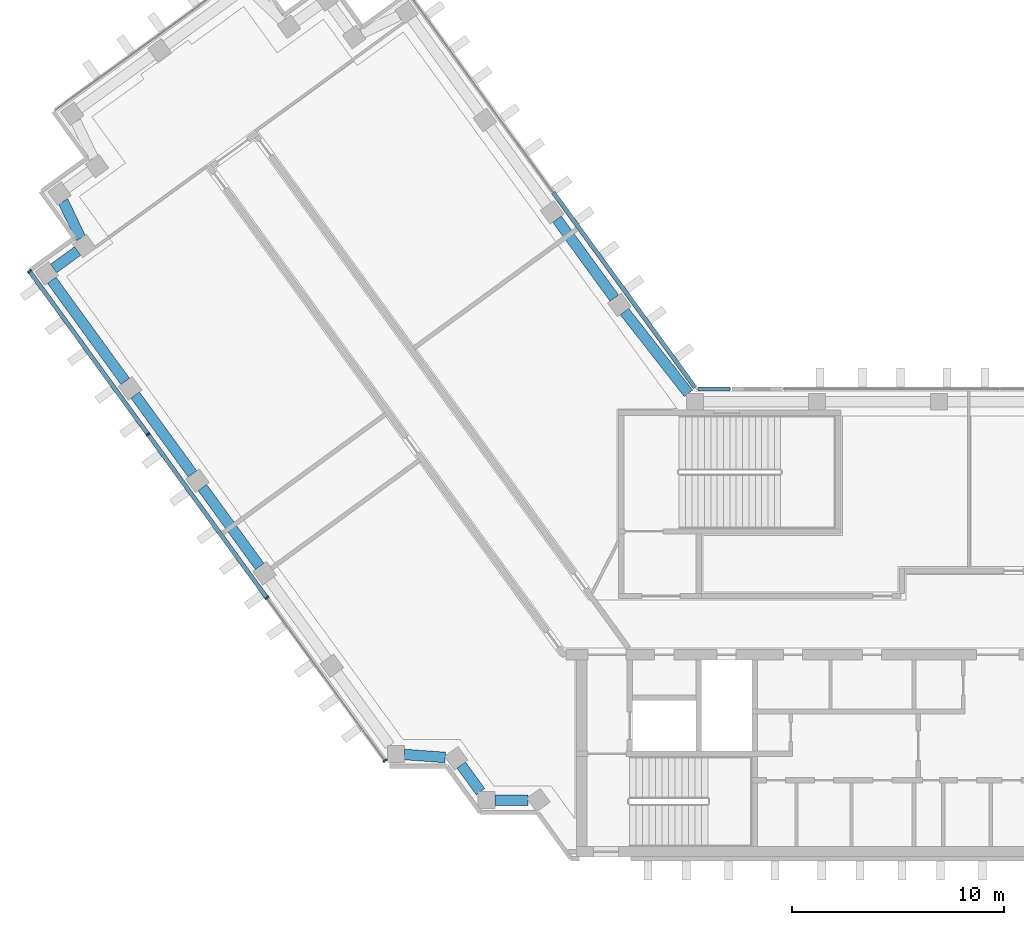
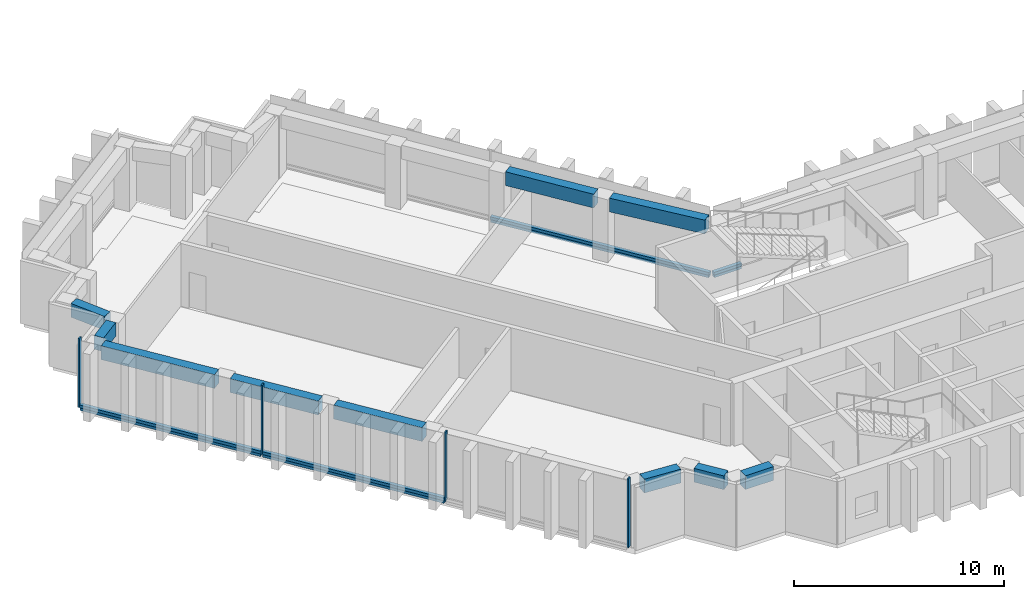
"""IFC4 building model written with IfcOpenShell, lengths in metres."""

from ifc_helpers import new_model, si_unit, direction, frame, origin, origin_2d, place, context, subcontext, project, spatial, rectangle, extrude, material, material_profile, profile_set, type_object, element, aggregate, save


model = new_model("IFC4")

# Units and contexts
model_context = context("Model", 3, precision=1e-05, world=origin(), true_north=direction((0.0, 1.0)))
body_context = subcontext(model_context, "Body", "Model", "MODEL_VIEW")
ifc_project = project(units=[si_unit("LENGTHUNIT", "METRE"), si_unit("AREAUNIT", "SQUARE_METRE"), si_unit("VOLUMEUNIT", "CUBIC_METRE"), si_unit("PLANEANGLEUNIT", "RADIAN"), si_unit("MASSUNIT", "GRAM", prefix="KILO")], contexts=[model_context])

# Site, building, storey
site_placement = place(None, origin())
site = spatial("IfcSite", under=ifc_project, at=site_placement, CompositionType="ELEMENT")
building_placement = place(site_placement, origin())
building = spatial("IfcBuilding", under=site, at=building_placement, Name="Quipu Civic Tower", CompositionType="ELEMENT")
storey_1_placement = place(building_placement, frame((0.0, 0.0, 144.0)))
storey_1 = spatial("IfcBuildingStorey", under=building, at=storey_1_placement, Name="L33", CompositionType="ELEMENT", Elevation=144.0)

# Curtain wall, members
ifc_material_1 = material(Name="Insulated glass unit", Category="glass")
curtain_wall_type_1 = type_object("IfcCurtainWallType", Name="Office curtain wall CW1", PredefinedType="NOTDEFINED", material=ifc_material_1)
curtain_wall_1_placement = place(storey_1_placement, origin())
curtain_wall_1 = element("IfcCurtainWall", 1, at=curtain_wall_1_placement, inside=storey_1, type_object=curtain_wall_type_1, Name="Office curtain wall CW1 L33 run 4", PredefinedType="NOTDEFINED")
ifc_material_2 = material(Name="Anodised aluminium", Category="aluminium")
ifc_material_profile_1 = material_profile(ifc_material_2, rectangle(XDim=0.199951171875, YDim=0.080078125, at=origin_2d()), Name="RECT 200x80")
ifc_profile_set_1 = profile_set([ifc_material_profile_1], Name="Anodised aluminium")
member_type_1 = type_object("IfcMemberType", Name="Mullion CW1", PredefinedType="MULLION", material=ifc_profile_set_1)
member_1_placement = place(storey_1_placement, frame((-45.825927734375, 16.661865234375, 0.080078125), z_axis=(0.0, 0.0, 1.0), x_axis=(0.80901667469, 0.5877856923, 0.0)))
member_1 = element("IfcMember", 2, at=member_1_placement, type_object=member_type_1, Name="CW1 mullion 1", PredefinedType="MULLION", context=body_context, shape_type="SweptSolid", body=[
    extrude(rectangle(XDim=0.199951171875, YDim=0.080078125, at=origin_2d()), origin(), (0.0, 0.0, 1.0), 4.0),
])
member_2_placement = place(storey_1_placement, frame((-40.23486328125, 8.966552734375, 0.080078125), z_axis=(0.0, 0.0, 1.0), x_axis=(0.80901667469, 0.5877856923, 0.0)))
member_2 = element("IfcMember", 3, at=member_2_placement, type_object=member_type_1, Name="CW1 mullion 2", PredefinedType="MULLION", context=body_context, shape_type="SweptSolid", body=[
    extrude(rectangle(XDim=0.199951171875, YDim=0.080078125, at=origin_2d()), origin(), (0.0, 0.0, 1.0), 4.0),
])
member_3_placement = place(storey_1_placement, frame((-34.620361328125, 1.23876953125, 0.080078125), z_axis=(0.0, 0.0, 1.0), x_axis=(0.80901667469, 0.5877856923, 0.0)))
member_3 = element("IfcMember", 4, at=member_3_placement, type_object=member_type_1, Name="CW1 mullion 3", PredefinedType="MULLION", context=body_context, shape_type="SweptSolid", body=[
    extrude(rectangle(XDim=0.199951171875, YDim=0.080078125, at=origin_2d()), origin(), (0.0, 0.0, 1.0), 4.0),
])
member_4_placement = place(storey_1_placement, frame((-29.029296875, -6.45654296875, 0.080078125), z_axis=(0.0, 0.0, 1.0), x_axis=(0.80901667469, 0.5877856923, 0.0)))
member_4 = element("IfcMember", 5, at=member_4_placement, type_object=member_type_1, Name="CW1 mullion 4", PredefinedType="MULLION", context=body_context, shape_type="SweptSolid", body=[
    extrude(rectangle(XDim=0.199951171875, YDim=0.080078125, at=origin_2d()), origin(), (0.0, 0.0, 1.0), 4.0),
])

# Beams
ifc_material_3 = material(Name="Concrete C50/60", Category="concrete")
ifc_material_profile_2 = material_profile(ifc_material_3, rectangle(XDim=0.5, YDim=0.800048828125, at=origin_2d()), Name="RC500x800")
ifc_profile_set_2 = profile_set([ifc_material_profile_2], Name="Concrete C50/60")
beam_type = type_object("IfcBeamType", Name="Spandrel beam RC 500x800 C50/60", PredefinedType="SPANDREL", material=ifc_profile_set_2)
beam_1_placement = place(storey_1_placement, frame((-18.208740234375, 15.398681640625, 3.25), z_axis=(-0.58776136044, 0.809034352283, 0.0), x_axis=(-0.809034352283, -0.58776136044, 0.0)))
element("IfcBeam", 6, at=beam_1_placement, inside=storey_1, type_object=beam_type, Name="Spandrel beam L33 W-IN-01 to W-IN-02", PredefinedType="SPANDREL", context=body_context, shape_type="SweptSolid", body=[
    extrude(rectangle(XDim=0.5, YDim=0.800048828125, at=origin_2d()), origin(), (0.0, 0.0, 1.0), 4.599853515625),
])
beam_2_placement = place(storey_1_placement, frame((-44.23974609375, 19.9677734375, 3.25), z_axis=(0.430785642718, -0.902454281406, 0.0), x_axis=(0.902454281406, 0.430785642718, 0.0)))
element("IfcBeam", 7, at=beam_2_placement, inside=storey_1, type_object=beam_type, Name="Spandrel beam L33 T-Wo.2-W34 to T-Wo.3-W34", PredefinedType="SPANDREL", context=body_context, shape_type="SweptSolid", body=[
    extrude(rectangle(XDim=0.5, YDim=0.800048828125, at=origin_2d()), origin(), (0.0, 0.0, 1.0), 1.934814453125),
])
beam_3_placement = place(storey_1_placement, frame((-43.554443359375, 17.619140625, 3.25), z_axis=(-0.808600329101, -0.588358315805, 0.0), x_axis=(0.588358315805, -0.808600329101, 0.0)))
element("IfcBeam", 8, at=beam_3_placement, inside=storey_1, type_object=beam_type, Name="Spandrel beam L33 T-Wo.3-W34 to T-Wo.4-W34", PredefinedType="SPANDREL", context=body_context, shape_type="SweptSolid", body=[
    extrude(rectangle(XDim=0.5, YDim=0.800048828125, at=origin_2d()), origin(), (0.0, 0.0, 1.0), 1.400146484375),
])
beam_4_placement = place(storey_1_placement, frame((-44.77490234375, 16.236328125, 3.25), z_axis=(0.58780026889, -0.809006083965, 0.0), x_axis=(0.809006083965, 0.58780026889, 0.0)))
element("IfcBeam", 9, at=beam_4_placement, inside=storey_1, type_object=beam_type, Name="Spandrel beam L33 T-Wo.4-W34 to W-OUT-04", PredefinedType="SPANDREL", context=body_context, shape_type="SweptSolid", body=[
    extrude(rectangle(XDim=0.5, YDim=0.800048828125, at=origin_2d()), origin(), (0.0, 0.0, 1.0), 5.902587890625),
])
beam_5_placement = place(storey_1_placement, frame((-40.835205078125, 10.81396484375, 3.25), z_axis=(0.587770861189, -0.809027449928, 0.0), x_axis=(0.809027449928, 0.587770861189, 0.0)))
element("IfcBeam", 10, at=beam_5_placement, inside=storey_1, type_object=beam_type, Name="Spandrel beam L33 W-OUT-04 to W-OUT-03", PredefinedType="SPANDREL", context=body_context, shape_type="SweptSolid", body=[
    extrude(rectangle(XDim=0.5, YDim=0.800048828125, at=origin_2d()), origin(), (0.0, 0.0, 1.0), 4.60009765625),
])
beam_6_placement = place(storey_1_placement, frame((-37.6611328125, 6.445068359375, 3.25), z_axis=(0.58776136044, -0.809034352283, 0.0), x_axis=(0.809034352283, 0.58776136044, 0.0)))
element("IfcBeam", 11, at=beam_6_placement, inside=storey_1, type_object=beam_type, Name="Spandrel beam L33 W-OUT-03 to W-OUT-02", PredefinedType="SPANDREL", context=body_context, shape_type="SweptSolid", body=[
    extrude(rectangle(XDim=0.5, YDim=0.800048828125, at=origin_2d()), origin(), (0.0, 0.0, 1.0), 4.599853515625),
])
beam_7_placement = place(storey_1_placement, frame((-28.125, -6.158935546875, 3.25), z_axis=(0.997370796499, -0.072467194581, 0.0), x_axis=(0.072467194581, 0.997370796499, 0.0)))
element("IfcBeam", 12, at=beam_7_placement, inside=storey_1, type_object=beam_type, Name="Spandrel beam L33 J-Wo.0 to J-Wo.1", PredefinedType="SPANDREL", context=body_context, shape_type="SweptSolid", body=[
    extrude(rectangle(XDim=0.5, YDim=0.800048828125, at=origin_2d()), origin(), (0.0, 0.0, 1.0), 1.933837890625),
])
beam_8_placement = place(storey_1_placement, frame((-25.43896484375, -6.660400390625, 3.25), z_axis=(0.588330737135, -0.808620395329, 0.0), x_axis=(0.808620395329, 0.588330737135, 0.0)))
element("IfcBeam", 13, at=beam_8_placement, inside=storey_1, type_object=beam_type, Name="Spandrel beam L33 J-Wo.1 to J-Wo.2", PredefinedType="SPANDREL", context=body_context, shape_type="SweptSolid", body=[
    extrude(rectangle(XDim=0.5, YDim=0.800048828125, at=origin_2d()), origin(), (0.0, 0.0, 1.0), 1.551513671875),
])
beam_9_placement = place(storey_1_placement, frame((-23.8349609375, -8.31494140625, 3.25), z_axis=(1.0, 0.0, 0.0), x_axis=(0.0, 1.0, 0.0)))
element("IfcBeam", 14, at=beam_9_placement, inside=storey_1, type_object=beam_type, Name="Spandrel beam L33 J-Wo.2 to J-Wo.3", PredefinedType="SPANDREL", context=body_context, shape_type="SweptSolid", body=[
    extrude(rectangle(XDim=0.5, YDim=0.800048828125, at=origin_2d()), origin(), (0.0, 0.0, 1.0), 1.548828125),
])
beam_10_placement = place(storey_1_placement, frame((-14.7080078125, 10.89990234375, 3.25), z_axis=(-0.616090612932, 0.787675286306, 0.0), x_axis=(-0.787675286306, -0.616090612932, 0.0)))
element("IfcBeam", 15, at=beam_10_placement, inside=storey_1, type_object=beam_type, Name="Spandrel beam L33 J-Wi.0 to W-IN-01", PredefinedType="SPANDREL", context=body_context, shape_type="SweptSolid", body=[
    extrude(rectangle(XDim=0.5, YDim=0.800048828125, at=origin_2d()), origin(), (0.0, 0.0, 1.0), 4.900390625),
])

# Member
ifc_material_4 = material(Name="Anodised aluminium", Category="aluminium")
ifc_material_profile_3 = material_profile(ifc_material_4, rectangle(XDim=0.199951171875, YDim=0.159912109375, at=origin_2d()), Name="RECT 200x160")
ifc_profile_set_3 = profile_set([ifc_material_profile_3], Name="Anodised aluminium")
member_type_2 = type_object("IfcMemberType", Name="Transom CW1", PredefinedType="USERDEFINED", material=ifc_profile_set_3)
member_5_placement = place(storey_1_placement, frame((-45.802490234375, 16.629638671875, 0.159912109375), z_axis=(0.587783783239, -0.809018061703, 0.0), x_axis=(0.809018061703, 0.587783783239, 0.0)))
member_5 = element("IfcMember", 16, at=member_5_placement, type_object=member_type_2, Name="CW1 transom 1.1", ObjectType="TRANSOM", PredefinedType="USERDEFINED", context=body_context, shape_type="SweptSolid", body=[
    extrude(rectangle(XDim=0.199951171875, YDim=0.159912109375, at=origin_2d()), origin(), (0.0, 0.0, 1.0), 9.431884765625),
])

member_6_placement = place(storey_1_placement, frame((-40.21142578125, 8.934326171875, 0.159912109375), z_axis=(0.587773158676, -0.809025780763, 0.0), x_axis=(0.809025780763, 0.587773158676, 0.0)))
member_6 = element("IfcMember", 17, at=member_6_placement, type_object=member_type_2, Name="CW1 transom 2.1", ObjectType="TRANSOM", PredefinedType="USERDEFINED", context=body_context, shape_type="SweptSolid", body=[
    extrude(rectangle(XDim=0.199951171875, YDim=0.159912109375, at=origin_2d()), origin(), (0.0, 0.0, 1.0), 9.471923828125),
])

aggregate(curtain_wall_1, [member_1, member_2, member_3, member_4, member_5, member_6])

# Storey
storey_2_placement = place(building_placement, frame((0.0, 0.0, 148.0)))
storey_2 = spatial("IfcBuildingStorey", under=building, at=storey_2_placement, Name="L34", CompositionType="ELEMENT", Elevation=148.0)

# Curtain wall, member
curtain_wall_2_placement = place(storey_2_placement, origin())
curtain_wall_2 = element("IfcCurtainWall", 18, at=curtain_wall_2_placement, inside=storey_2, type_object=curtain_wall_type_1, Name="Office curtain wall CW1 L33 run 31", PredefinedType="NOTDEFINED")
member_7_placement = place(storey_1_placement, frame((-12.735107421875, 11.10009765625, 0.159912109375), z_axis=(-1.0, 0.0, 0.0), x_axis=(0.0, -1.0, 0.0)))
member_7 = element("IfcMember", 19, at=member_7_placement, inside=storey_1, type_object=member_type_2, Name="CW1 transom 1.1", ObjectType="TRANSOM", PredefinedType="USERDEFINED", context=body_context, shape_type="SweptSolid", body=[
    extrude(rectangle(XDim=0.199951171875, YDim=0.159912109375, at=origin_2d()), origin(), (0.0, 0.0, 1.0), 1.529052734375),
])
aggregate(curtain_wall_2, [member_7])

curtain_wall_3_placement = place(storey_2_placement, origin())
curtain_wall_3 = element("IfcCurtainWall", 20, at=curtain_wall_3_placement, inside=storey_2, type_object=curtain_wall_type_1, Name="Office curtain wall CW1 L33 run 32", PredefinedType="NOTDEFINED")
member_8_placement = place(storey_1_placement, frame((-14.39111328125, 11.164794921875, 0.159912109375), z_axis=(-0.587799878401, 0.809006367683, 0.0), x_axis=(-0.809006367683, -0.587799878401, 0.0)))
member_8 = element("IfcMember", 21, at=member_8_placement, inside=storey_1, type_object=member_type_2, Name="CW1 transom 1.1", ObjectType="TRANSOM", PredefinedType="USERDEFINED", context=body_context, shape_type="SweptSolid", body=[
    extrude(rectangle(XDim=0.199951171875, YDim=0.159912109375, at=origin_2d()), origin(), (0.0, 0.0, 1.0), 11.402099609375),
])
aggregate(curtain_wall_3, [member_8])

# Storey
storey_3_placement = place(building_placement, frame((0.0, 0.0, 139.0)))
storey_3 = spatial("IfcBuildingStorey", under=building, at=storey_3_placement, Name="L32", CompositionType="ELEMENT", Elevation=139.0)

# Curtain wall, member
ifc_material_5 = material(Name="Insulated glass unit", Category="glass")
curtain_wall_type_2 = type_object("IfcCurtainWallType", Name="Sky lobby and refuge curtain wall CW5", PredefinedType="NOTDEFINED", material=ifc_material_5)
curtain_wall_4_placement = place(storey_3_placement, origin())
curtain_wall_4 = element("IfcCurtainWall", 22, at=curtain_wall_4_placement, inside=storey_3, type_object=curtain_wall_type_2, Name="Sky lobby and refuge curtain wall CW5 L32 run 1", PredefinedType="NOTDEFINED")
ifc_material_6 = material(Name="Anodised aluminium", Category="aluminium")
ifc_material_profile_4 = material_profile(ifc_material_6, rectangle(XDim=0.199951171875, YDim=0.14990234375, at=origin_2d()), Name="RECT 200x150")
ifc_profile_set_4 = profile_set([ifc_material_profile_4], Name="Anodised aluminium")
member_type_3 = type_object("IfcMemberType", Name="Transom CW5", PredefinedType="USERDEFINED", material=ifc_profile_set_4)
member_9_placement = place(storey_1_placement, frame((-14.408935546875, 11.18896484375, 0.0), z_axis=(-0.587779229881, 0.809021369878, 0.0), x_axis=(-0.809021369878, -0.587779229881, 0.0)))
member_9 = element("IfcMember", 23, at=member_9_placement, inside=storey_1, type_object=member_type_3, Name="CW5 transom 1.3", ObjectType="TRANSOM", PredefinedType="USERDEFINED", context=body_context, shape_type="SweptSolid", body=[
    extrude(rectangle(XDim=0.199951171875, YDim=0.14990234375, at=origin_2d()), origin(), (0.0, 0.0, 1.0), 11.357177734375),
])
aggregate(curtain_wall_4, [member_9])

# Curtain wall, members
curtain_wall_5_placement = place(storey_3_placement, origin())
curtain_wall_5 = element("IfcCurtainWall", 24, at=curtain_wall_5_placement, inside=storey_3, type_object=curtain_wall_type_2, Name="Sky lobby and refuge curtain wall CW5 L32 run 11", PredefinedType="NOTDEFINED")
member_10_placement = place(storey_1_placement, frame((-45.784912109375, 16.605224609375, 0.0), z_axis=(0.587788114206, -0.809014915066, 0.0), x_axis=(0.809014915066, 0.587788114206, 0.0)))
member_10 = element("IfcMember", 25, at=member_10_placement, inside=storey_1, type_object=member_type_3, Name="CW5 transom 1.3", ObjectType="TRANSOM", PredefinedType="USERDEFINED", context=body_context, shape_type="SweptSolid", body=[
    extrude(rectangle(XDim=0.199951171875, YDim=0.14990234375, at=origin_2d()), origin(), (0.0, 0.0, 1.0), 9.386962890625),
])
member_11_placement = place(storey_1_placement, frame((-40.20263671875, 8.922119140625, 0.0), z_axis=(0.587784192593, -0.809017764291, 0.0), x_axis=(0.809017764291, 0.587784192593, 0.0)))
member_11 = element("IfcMember", 26, at=member_11_placement, inside=storey_1, type_object=member_type_3, Name="CW5 transom 2.3", ObjectType="TRANSOM", PredefinedType="USERDEFINED", context=body_context, shape_type="SweptSolid", body=[
    extrude(rectangle(XDim=0.199951171875, YDim=0.14990234375, at=origin_2d()), origin(), (0.0, 0.0, 1.0), 9.44189453125),
])
aggregate(curtain_wall_5, [member_10, member_11])

# Curtain wall, member
curtain_wall_6_placement = place(storey_3_placement, origin())
curtain_wall_6 = element("IfcCurtainWall", 27, at=curtain_wall_6_placement, inside=storey_3, type_object=curtain_wall_type_2, Name="Sky lobby and refuge curtain wall CW5 L32 run 38", PredefinedType="NOTDEFINED")
member_12_placement = place(storey_1_placement, frame((-12.764892578125, 11.10009765625, 0.0), z_axis=(-1.0, 0.0, 0.0), x_axis=(0.0, -1.0, 0.0)))
member_12 = element("IfcMember", 28, at=member_12_placement, inside=storey_1, type_object=member_type_3, Name="CW5 transom 1.3", ObjectType="TRANSOM", PredefinedType="USERDEFINED", context=body_context, shape_type="SweptSolid", body=[
    extrude(rectangle(XDim=0.199951171875, YDim=0.14990234375, at=origin_2d()), origin(), (0.0, 0.0, 1.0), 1.46923828125),
])
aggregate(curtain_wall_6, [member_12])

save(model, "model.ifc")
